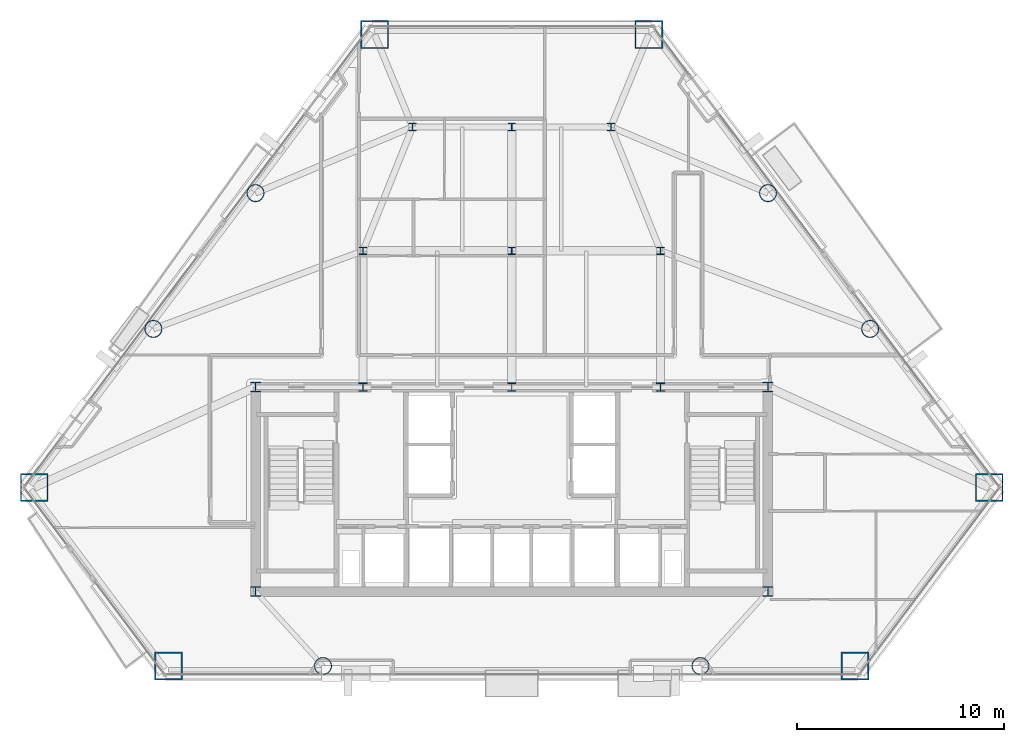
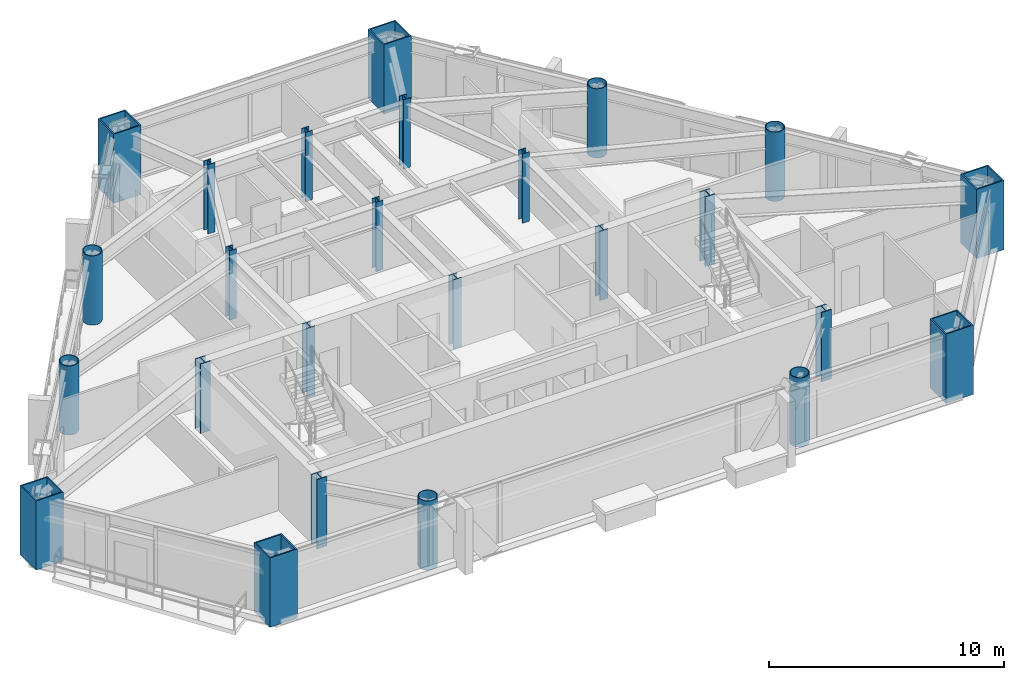
# One storey, part 1 of 10: 25 columns.
"""IFC4 building model written with IfcOpenShell, lengths in metres."""

from ifc_helpers import new_model, si_unit, direction, frame, origin, origin_2d, place, context, subcontext, project, spatial, hollow_rectangle, hollow_circle, i_section, extrude, material, material_profile, profile_set, type_object, element, save


model = new_model("IFC4")

# Units and contexts
model_context = context("Model", 3, precision=1e-05, world=origin(), true_north=direction((0.0, 1.0)))
body_context = subcontext(model_context, "Body", "Model", "MODEL_VIEW")
ifc_project = project(units=[si_unit("LENGTHUNIT", "METRE"), si_unit("AREAUNIT", "SQUARE_METRE"), si_unit("VOLUMEUNIT", "CUBIC_METRE"), si_unit("PLANEANGLEUNIT", "RADIAN"), si_unit("MASSUNIT", "GRAM", prefix="KILO")], contexts=[model_context])

# Site, building, storey
site_placement = place(None, origin())
site = spatial("IfcSite", under=ifc_project, at=site_placement, CompositionType="ELEMENT")
building_placement = place(site_placement, origin())
building = spatial("IfcBuilding", under=site, at=building_placement, Name="Talgorran Terracotta Tower", CompositionType="ELEMENT")
storey_placement = place(building_placement, frame((0.0, 0.0, 82.800048828125)))
storey = spatial("IfcBuildingStorey", under=building, at=storey_placement, Name="L21", CompositionType="ELEMENT", Elevation=82.800048828125)

# Columns
ifc_material_1 = material(Name="Steel S355 (300PLUS)", Category="steel")
ifc_material_profile_1 = material_profile(ifc_material_1, i_section(OverallWidth=0.35009765625, OverallDepth=0.366943359375, WebThickness=0.02490234375, FlangeThickness=0.031982421875, at=origin_2d()), Name="350WC258")
ifc_profile_set_1 = profile_set([ifc_material_profile_1], Name="Steel S355 (300PLUS)")
column_type_1 = type_object("IfcColumnType", Name="COL_350WC258", PredefinedType="COLUMN", material=ifc_profile_set_1)
for number, where, z_axis, x_axis, name in (
    (1, (-7.199951171875, 2.39990234375, 0.0), (0.0, 0.0, 1.0), (1.0, 0.0, 0.0), "L21 Interior Gravity Column IC1"),
    (2, (0.0, 2.39990234375, 0.0), (0.0, 0.0, 1.0), (1.0, 0.0, 0.0), "L21 Interior Gravity Column IC2"),
    (3, (7.199951171875, 2.39990234375, 0.0), (0.0, 0.0, 1.0), (1.0, 0.0, 0.0), "L21 Interior Gravity Column IC3"),
    (4, (-4.800048828125, 8.39990234375, 0.0), (0.0, 0.0, 1.0), (1.0, 0.0, 0.0), "L21 Interior Gravity Column IC4"),
    (5, (0.0, 8.39990234375, 0.0), (0.0, 0.0, 1.0), (1.0, 0.0, 0.0), "L21 Interior Gravity Column IC5"),
    (6, (4.800048828125, 8.39990234375, 0.0), (0.0, 0.0, 1.0), (1.0, 0.0, 0.0), "L21 Interior Gravity Column IC6"),
):
    element("IfcColumn", number, at=place(storey_placement, frame(where, z_axis=z_axis, x_axis=x_axis)), inside=storey, type_object=column_type_1, Name=name, PredefinedType="COLUMN", context=body_context, shape_type="SweptSolid", body=[
        extrude(i_section(OverallWidth=0.35009765625, OverallDepth=0.366943359375, WebThickness=0.02490234375, FlangeThickness=0.031982421875, at=origin_2d()), origin(), (0.0, 0.0, 1.0), 3.599853515625),
    ])
ifc_material_profile_2 = material_profile(ifc_material_1, i_section(OverallWidth=0.5, OverallDepth=0.48193359375, WebThickness=0.0400390625, FlangeThickness=0.044921875, at=origin_2d()), Name="500WC440")
ifc_profile_set_2 = profile_set([ifc_material_profile_2], Name="Steel S355 (300PLUS)")
column_type_2 = type_object("IfcColumnType", Name="COL_500WC440", PredefinedType="COLUMN", material=ifc_profile_set_2)
for number, where, z_axis, x_axis, name in (
    (7, (-12.39990234375, -14.10009765625, 0.0), (0.0, 0.0, 1.0), (1.0, 0.0, 0.0), "L21 Core Boundary Column CC1"),
    (8, (12.39990234375, -14.10009765625, 0.0), (0.0, 0.0, 1.0), (1.0, 0.0, 0.0), "L21 Core Boundary Column CC2"),
    (9, (12.39990234375, -4.199951171875, 0.0), (0.0, 0.0, 1.0), (1.0, 0.0, 0.0), "L21 Core Boundary Column CC3"),
    (10, (-12.39990234375, -4.199951171875, 0.0), (0.0, 0.0, 1.0), (1.0, 0.0, 0.0), "L21 Core Boundary Column CC4"),
):
    element("IfcColumn", number, at=place(storey_placement, frame(where, z_axis=z_axis, x_axis=x_axis)), inside=storey, type_object=column_type_2, Name=name, PredefinedType="COLUMN", context=body_context, shape_type="SweptSolid", body=[
        extrude(i_section(OverallWidth=0.5, OverallDepth=0.48193359375, WebThickness=0.0400390625, FlangeThickness=0.044921875, at=origin_2d()), origin(), (0.0, 0.0, 1.0), 3.599853515625),
    ])
ifc_material_2 = material(Name="Steel Grade 350 (350L0)", Category="steel")
ifc_material_profile_3 = material_profile(ifc_material_2, hollow_rectangle(XDim=1.35009765625, YDim=1.35009765625, WallThickness=0.06494140625, at=origin_2d()), Name="CFT1350X1350X65")
ifc_profile_set_3 = profile_set([ifc_material_profile_3], Name="Steel Grade 350 (350L0)")
column_type_3 = type_object("IfcColumnType", Name="COL_CFT_1350", PredefinedType="COLUMN", material=ifc_profile_set_3)
for number, where, z_axis, x_axis, name in (
    (11, (-23.119384765625, -9.0517578125, 0.0), (0.0, 0.0, 1.0), (1.0, 0.0, 0.0), "L21 Corner CFT Mega-Column MC1"),
    (12, (-16.61376953125, -17.7021484375, 0.0), (0.0, 0.0, 1.0), (1.0, 0.0, 0.0), "L21 Corner CFT Mega-Column MC2"),
    (13, (16.61376953125, -17.7021484375, 0.0), (0.0, 0.0, 1.0), (1.0, 0.0, 0.0), "L21 Corner CFT Mega-Column MC3"),
    (14, (23.119384765625, -9.0517578125, 0.0), (0.0, 0.0, 1.0), (1.0, 0.0, 0.0), "L21 Corner CFT Mega-Column MC4"),
    (15, (6.636962890625, 12.864990234375, 0.0), (0.0, 0.0, 1.0), (1.0, 0.0, 0.0), "L21 Corner CFT Mega-Column MC5"),
    (16, (-6.636962890625, 12.864990234375, 0.0), (0.0, 0.0, 1.0), (1.0, 0.0, 0.0), "L21 Corner CFT Mega-Column MC6"),
):
    element("IfcColumn", number, at=place(storey_placement, frame(where, z_axis=z_axis, x_axis=x_axis)), inside=storey, type_object=column_type_3, Name=name, PredefinedType="COLUMN", context=body_context, shape_type="SweptSolid", body=[
        extrude(hollow_rectangle(XDim=1.35009765625, YDim=1.35009765625, WallThickness=0.06494140625, at=origin_2d()), origin(), (0.0, 0.0, 1.0), 3.599853515625),
    ])
ifc_material_profile_4 = material_profile(ifc_material_2, hollow_circle(Radius=0.425048828125, WallThickness=0.0380859375, at=origin_2d()), Name="CHS850X38")
ifc_profile_set_4 = profile_set([ifc_material_profile_4], Name="Steel Grade 350 (350L0)")
column_type_4 = type_object("IfcColumnType", Name="COL_CHS_850", PredefinedType="COLUMN", material=ifc_profile_set_4)
for number, where, z_axis, x_axis, name in (
    (17, (-9.1376953125, -17.7021484375, 0.0), (0.0, 0.0, 1.0), (1.0, 0.0, 0.0), "L21 Facet Perimeter Column FC1"),
    (18, (9.1376953125, -17.7021484375, 0.0), (0.0, 0.0, 1.0), (1.0, 0.0, 0.0), "L21 Facet Perimeter Column FC2"),
    (19, (17.3505859375, -1.380859375, 0.0), (0.0, 0.0, 1.0), (1.0, 0.0, 0.0), "L21 Facet Perimeter Column FC3"),
    (20, (12.406005859375, 5.194091796875, 0.0), (0.0, 0.0, 1.0), (1.0, 0.0, 0.0), "L21 Facet Perimeter Column FC4"),
    (21, (-12.406005859375, 5.194091796875, 0.0), (0.0, 0.0, 1.0), (1.0, 0.0, 0.0), "L21 Facet Perimeter Column FC5"),
    (22, (-17.3505859375, -1.380859375, 0.0), (0.0, 0.0, 1.0), (1.0, 0.0, 0.0), "L21 Facet Perimeter Column FC6"),
):
    element("IfcColumn", number, at=place(storey_placement, frame(where, z_axis=z_axis, x_axis=x_axis)), inside=storey, type_object=column_type_4, Name=name, PredefinedType="COLUMN", context=body_context, shape_type="SweptSolid", body=[
        extrude(hollow_circle(Radius=0.425048828125, WallThickness=0.0380859375, at=origin_2d()), origin(), (0.0, 0.0, 1.0), 3.599853515625),
    ])
ifc_material_profile_5 = material_profile(ifc_material_1, i_section(OverallWidth=0.405029296875, OverallDepth=0.4140625, WebThickness=0.02197265625, FlangeThickness=0.031982421875, at=origin_2d()), Name="400WC270")
ifc_profile_set_5 = profile_set([ifc_material_profile_5], Name="Steel S355 (300PLUS)")
column_type_5 = type_object("IfcColumnType", Name="COL_PIL_400WC270", PredefinedType="PILASTER", material=ifc_profile_set_5)
for number, where, z_axis, x_axis, name in (
    (23, (-7.199951171875, -4.199951171875, 0.0), (0.0, 0.0, 1.0), (1.0, 0.0, 0.0), "L21 Core Shear Pilaster CP1"),
    (24, (0.0, -4.199951171875, 0.0), (0.0, 0.0, 1.0), (1.0, 0.0, 0.0), "L21 Core Shear Pilaster CP2"),
    (25, (7.199951171875, -4.199951171875, 0.0), (0.0, 0.0, 1.0), (1.0, 0.0, 0.0), "L21 Core Shear Pilaster CP3"),
):
    element("IfcColumn", number, at=place(storey_placement, frame(where, z_axis=z_axis, x_axis=x_axis)), inside=storey, type_object=column_type_5, Name=name, PredefinedType="PILASTER", context=body_context, shape_type="SweptSolid", body=[
        extrude(i_section(OverallWidth=0.405029296875, OverallDepth=0.4140625, WebThickness=0.02197265625, FlangeThickness=0.031982421875, at=origin_2d()), origin(), (0.0, 0.0, 1.0), 3.599853515625),
    ])

save(model, "model.ifc")
